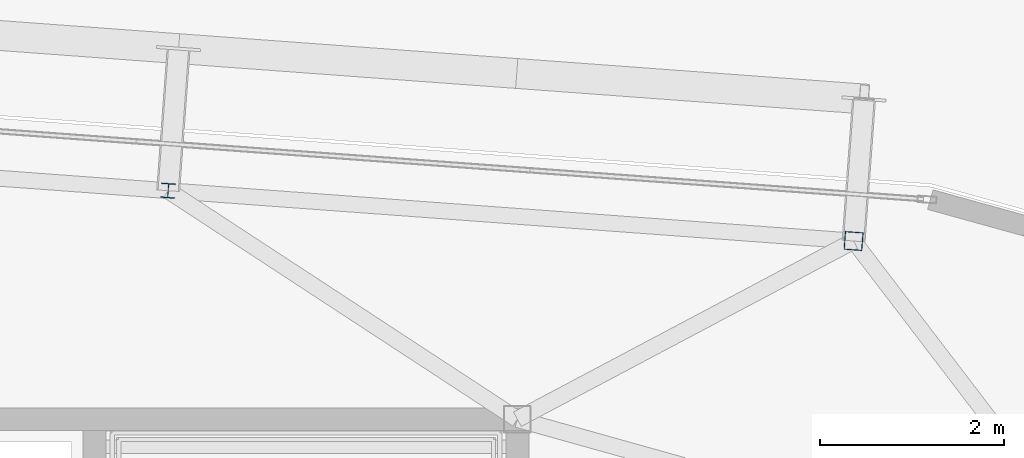
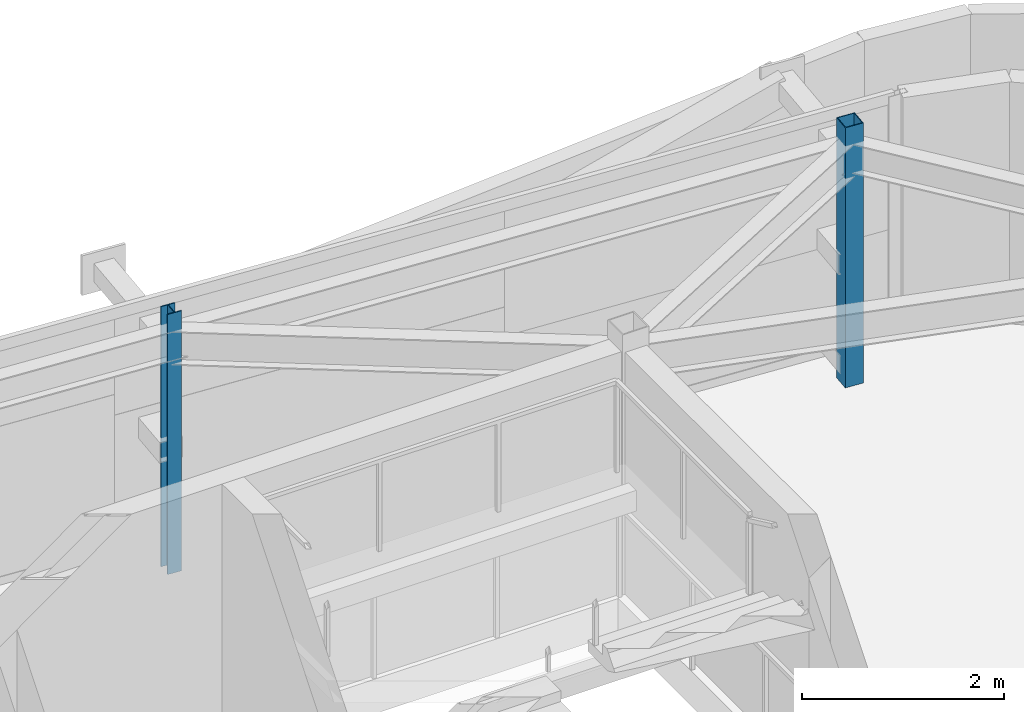
# One storey, part 8 of 37: 2 columns.
"""IFC4 building model written with IfcOpenShell, lengths in metres."""

import ifcopenshell
import ifcopenshell.guid

model = None  # the IFC model being written
_history = None  # IfcOwnerHistory: only IFC2X3 demands one
_inside = {}  # id of a spatial element -> (the spatial element, [elements in it])
_under = {}  # id of a project, library or spatial element -> (it, [spatial elements below it])
_declared = {}  # id of a project -> (the project, [libraries it declares])
_typed = {}  # id of a type object -> (the type object, [elements of that type])
_made_of = {}  # id of a material, layer set ... -> (it, [elements and type objects made of it])


def new_model(schema):
    """Start an empty IFC model of exactly this schema.

    Asked for "IFC4X3", IfcOpenShell would pick the latest addendum, in which some entities
    have other attributes; the version numbers below select the first issue.
    IFC2X3 requires an IfcOwnerHistory on every rooted entity: one is made here for all.
    """
    global model, _history
    if schema == "IFC4X3":
        model = ifcopenshell.file(schema_version=(4, 3, 0, 0))
    else:
        model = ifcopenshell.file(schema=schema)
    _inside.clear()
    _under.clear()
    _declared.clear()
    _typed.clear()
    _made_of.clear()
    _history = None
    if model.schema == "IFC2X3":
        org = make("IfcOrganization", Name="unknown")
        user = make(
            "IfcPersonAndOrganization",
            ThePerson=make("IfcPerson", FamilyName="unknown"),
            TheOrganization=org,
        )
        app = make(
            "IfcApplication",
            ApplicationDeveloper=org,
            Version="unknown",
            ApplicationFullName="unknown",
            ApplicationIdentifier="unknown",
        )
        _history = make(
            "IfcOwnerHistory",
            OwningUser=user,
            OwningApplication=app,
            ChangeAction="ADDED",
            CreationDate=0,
        )
    return model


def make(cls, **values):
    """One entity of the class cls with the attributes given. An attribute that is None is left unset."""
    return model.create_entity(
        cls, **{name: value for name, value in values.items() if value is not None}
    )


def rooted(cls, **values):
    """An entity with a GlobalId (a new one), such as an element, a storey or a relation."""
    return make(cls, GlobalId=ifcopenshell.guid.new(), OwnerHistory=_history, **values)


def si_unit(unit_type, name, prefix=None):
    """IfcSIUnit, for example si_unit("LENGTHUNIT", "METRE", prefix="MILLI")."""
    return make("IfcSIUnit", UnitType=unit_type, Prefix=prefix, Name=name)


def assignment(units):
    """IfcUnitAssignment: the units of a project."""
    return None if units is None else make("IfcUnitAssignment", Units=units)


def point(xyz):
    """IfcCartesianPoint."""
    return None if xyz is None else make("IfcCartesianPoint", Coordinates=xyz)


def direction(xyz):
    """IfcDirection."""
    return None if xyz is None else make("IfcDirection", DirectionRatios=xyz)


def frame(location, z_axis=None, x_axis=None):
    """IfcAxis2Placement3D, a coordinate frame: its origin and axes. An axis left out is left unset."""
    return make(
        "IfcAxis2Placement3D",
        Location=point(location),
        Axis=direction(z_axis),
        RefDirection=direction(x_axis),
    )


def frame_2d(location, x_axis=None):
    """IfcAxis2Placement2D, a coordinate frame in the plane: its origin and x axis."""
    return make(
        "IfcAxis2Placement2D", Location=point(location), RefDirection=direction(x_axis)
    )


def origin():
    """The frame at (0, 0, 0) with its axes left unset."""
    return frame((0.0, 0.0, 0.0))


def origin_2d():
    """The frame at (0, 0) in the plane with its x axis left unset."""
    return frame_2d((0.0, 0.0))


def place(relative_to, where):
    """IfcLocalPlacement: puts the frame where relative to a parent placement (None: the world)."""
    return make(
        "IfcLocalPlacement", PlacementRelTo=relative_to, RelativePlacement=where
    )


def context(
    kind, dimensions, precision=None, world=None, true_north=None, identifier=None
):
    """IfcGeometricRepresentationContext, for example the 3D "Model" context."""
    return make(
        "IfcGeometricRepresentationContext",
        ContextIdentifier=identifier,
        ContextType=kind,
        CoordinateSpaceDimension=dimensions,
        Precision=precision,
        WorldCoordinateSystem=world,
        TrueNorth=true_north,
    )


def subcontext(parent, identifier, kind, view, scale=None):
    """IfcGeometricRepresentationSubContext, for example "Body" below "Model"."""
    return make(
        "IfcGeometricRepresentationSubContext",
        ContextIdentifier=identifier,
        ContextType=kind,
        ParentContext=parent,
        TargetScale=scale,
        TargetView=view,
    )


def project(units=None, contexts=None):
    """IfcProject with its units and contexts."""
    return rooted(
        "IfcProject",
        Name="project",
        RepresentationContexts=contexts,
        UnitsInContext=assignment(units),
    )


def spatial(cls, under=None, at=None, **own):
    """A site, building, storey or space (cls), placed at a placement, below another one or the project."""
    s = rooted(cls, ObjectPlacement=at, **own)
    if under is not None:
        _under.setdefault(under.id(), (under, []))[1].append(s)
    return s


def profile(cls, at=None, kind="AREA", **sizes):
    """A parametric profile (cls). Its sizes go by their IFC names, for example OverallWidth=200.0."""
    return make(cls, ProfileType=kind, Position=at, **sizes)


def hollow_rectangle(**sizes):
    """IfcRectangleHollowProfileDef."""
    return profile("IfcRectangleHollowProfileDef", **sizes)


def i_section(**sizes):
    """IfcIShapeProfileDef."""
    return profile("IfcIShapeProfileDef", **sizes)


def extrude(swept, where, along, depth):
    """IfcExtrudedAreaSolid: the profile swept, set in the frame where, extruded along a direction by depth."""
    return make(
        "IfcExtrudedAreaSolid",
        SweptArea=swept,
        Position=where,
        ExtrudedDirection=direction(along),
        Depth=depth,
    )


def shape(context_of_items, identifier, shape_type, items):
    """IfcShapeRepresentation: the items that make up one representation, for example the "Body"."""
    return make(
        "IfcShapeRepresentation",
        ContextOfItems=context_of_items,
        RepresentationIdentifier=identifier,
        RepresentationType=shape_type,
        Items=items,
    )


def source(mapping_origin, context_of_items, identifier, shape_type, items):
    """IfcRepresentationMap: a shape defined once, which mapped items show again and again."""
    return make(
        "IfcRepresentationMap",
        MappingOrigin=mapping_origin,
        MappedRepresentation=shape(context_of_items, identifier, shape_type, items),
    )


def transform(
    local_origin,
    x_axis=None,
    y_axis=None,
    z_axis=None,
    scale=None,
    scale2=None,
    scale3=None,
    uniform=True,
):
    """IfcCartesianTransformationOperator3D, or its non-uniform kind. x_axis, y_axis, z_axis: its Axis1, 2, 3."""
    if uniform:
        return make(
            "IfcCartesianTransformationOperator3D",
            Axis1=direction(x_axis),
            Axis2=direction(y_axis),
            LocalOrigin=point(local_origin),
            Scale=scale,
            Axis3=direction(z_axis),
        )
    return make(
        "IfcCartesianTransformationOperator3DnonUniform",
        Axis1=direction(x_axis),
        Axis2=direction(y_axis),
        LocalOrigin=point(local_origin),
        Scale=scale,
        Axis3=direction(z_axis),
        Scale2=scale2,
        Scale3=scale3,
    )


def mapped(mapping_source, mapping_target):
    """IfcMappedItem: shows the shape of a source again, moved by a transform."""
    return make(
        "IfcMappedItem", MappingSource=mapping_source, MappingTarget=mapping_target
    )


def material(Name=None, Category=None):
    """IfcMaterial."""
    return make("IfcMaterial", Name=Name, Category=Category)


def material_profile(
    of_material, cross_section, Name=None, Category=None, Priority=None
):
    """IfcMaterialProfile: a cross section and its material."""
    return make(
        "IfcMaterialProfile",
        Name=Name,
        Material=of_material,
        Profile=cross_section,
        Priority=Priority,
        Category=Category,
    )


def profile_set(profiles, Name=None, composite=None):
    """IfcMaterialProfileSet."""
    return make(
        "IfcMaterialProfileSet",
        Name=Name,
        MaterialProfiles=profiles,
        CompositeProfile=composite,
    )


def made_of(thing, what):
    """Note that an element or type object is made of a material, layer set ...; save() writes the relation."""
    if what is not None:
        _made_of.setdefault(what.id(), (what, []))[1].append(thing)
    return thing


def type_object(cls, material=None, **own):
    """A type object (cls), such as IfcWallType, which elements share."""
    return made_of(rooted(cls, **own), material)


def element(
    cls,
    number,
    at=None,
    inside=None,
    cuts=None,
    type_object=None,
    material=None,
    context=None,
    identifier="Body",
    shape_type=None,
    held_by="IfcProductDefinitionShape",
    body=None,
    shapes=None,
    **own,
):
    """One element of the class cls, such as IfcWall. Its Tag is "e" and its number.

    at: its placement. inside: the storey or other place that contains it. cuts: it is an
    opening in that element (IfcRelVoidsElement). A single representation is given by context,
    identifier, shape_type and body (its items); several are given by shapes. held_by: the class
    of the entity that holds the representations. save() writes the other relations.
    """
    e = rooted(cls, Tag="e%d" % number, ObjectPlacement=at, **own)
    if body is not None:
        shapes = [shape(context, identifier, shape_type, body)]
    if shapes is not None:
        e.Representation = make(held_by, Representations=shapes)
    if inside is not None:
        _inside.setdefault(inside.id(), (inside, []))[1].append(e)
    if cuts is not None:
        rooted(
            "IfcRelVoidsElement", RelatingBuildingElement=cuts, RelatedOpeningElement=e
        )
    if type_object is not None:
        _typed.setdefault(type_object.id(), (type_object, []))[1].append(e)
    return made_of(e, material)


def aggregate(whole, parts):
    """IfcRelAggregates: a whole, such as a stair, and the parts it consists of."""
    return rooted("IfcRelAggregates", RelatingObject=whole, RelatedObjects=parts)


def save(model, path):
    """Write the relations noted so far, then the file.

    IfcRelAggregates (storeys below a building ...), IfcRelContainedInSpatialStructure (elements
    in a storey), IfcRelDefinesByType, IfcRelAssociatesMaterial and IfcRelDeclares: one each for
    every whole, place, type object, material and project.
    """
    for whole, parts in _under.values():
        aggregate(whole, parts)
    for where, things in _inside.values():
        rooted(
            "IfcRelContainedInSpatialStructure",
            RelatedElements=things,
            RelatingStructure=where,
        )
    for kind, things in _typed.values():
        rooted("IfcRelDefinesByType", RelatedObjects=things, RelatingType=kind)
    for what, things in _made_of.values():
        rooted("IfcRelAssociatesMaterial", RelatedObjects=things, RelatingMaterial=what)
    for by, libraries in _declared.values():
        rooted("IfcRelDeclares", RelatingContext=by, RelatedDefinitions=libraries)
    model.write(path)


model = new_model("IFC4")

# Units and contexts
model_context = context("Model", 3, precision=1e-05, world=origin(), true_north=direction((0.0, 1.0)))
body_context = subcontext(model_context, "Body", "Model", "MODEL_VIEW")
ifc_project = project(units=[si_unit("LENGTHUNIT", "METRE"), si_unit("AREAUNIT", "SQUARE_METRE"), si_unit("VOLUMEUNIT", "CUBIC_METRE"), si_unit("PLANEANGLEUNIT", "RADIAN"), si_unit("MASSUNIT", "GRAM", prefix="KILO")], contexts=[model_context])

# Site, building, storey
site_placement = place(None, origin())
site = spatial("IfcSite", under=ifc_project, at=site_placement, CompositionType="ELEMENT")
building_placement = place(site_placement, origin())
building = spatial("IfcBuilding", under=site, at=building_placement, Name="Taldren Reach Tower", CompositionType="ELEMENT")
storey_placement = place(building_placement, frame((0.0, 0.0, 211.39990234375)))
storey = spatial("IfcBuildingStorey", under=building, at=storey_placement, Name="L64", CompositionType="ELEMENT", Elevation=211.39990234375)

# Columns
ifc_material_1 = material(Name="Steel Gr 350 (C350L0)", Category="steel")
ifc_material_profile_1 = material_profile(ifc_material_1, hollow_rectangle(XDim=0.199951171875, YDim=0.199951171875, WallThickness=0.009033203125, at=origin_2d()), Name="200x200x9.0SHS")
ifc_profile_set_1 = profile_set([ifc_material_profile_1], Name="Steel Gr 350 (C350L0)")
column_type_1 = type_object("IfcColumnType", Name="COL-SHS200", PredefinedType="COLUMN", material=ifc_profile_set_1)
shared_shape_1 = source(origin(), body_context, "Body", "SweptSolid", [
    extrude(hollow_rectangle(XDim=0.199951171875, YDim=0.199951171875, WallThickness=0.009033203125, at=origin_2d()), origin(), (0.0, 0.0, 1.0), 3.150146484375),
])
column_1_placement = place(storey_placement, frame((54.659423828125, 33.939697265625, 0.0), z_axis=(0.0, 0.0, 1.0), x_axis=(0.997314477224, -0.073238197128, 0.0)))
element("IfcColumn", 1, at=column_1_placement, inside=storey, type_object=column_type_1, Name="Block B5 perimeter column N6 L64", PredefinedType="COLUMN", context=body_context, shape_type="MappedRepresentation", body=[
    mapped(shared_shape_1, transform((0.0, 0.0, 0.0), scale=1.0)),
])
ifc_material_2 = material(Name="Steel Gr 350 (350PLUS)", Category="steel")
ifc_material_profile_2 = material_profile(ifc_material_2, i_section(OverallWidth=0.154052734375, OverallDepth=0.162109375, WebThickness=0.008056640625, FlangeThickness=0.011474609375, at=origin_2d()), Name="150UC37.2")
ifc_profile_set_2 = profile_set([ifc_material_profile_2], Name="Steel Gr 350 (350PLUS)")
column_type_2 = type_object("IfcColumnType", Name="COL-UC150", PredefinedType="COLUMN", material=ifc_profile_set_2)
shared_shape_2 = source(origin(), body_context, "Body", "SweptSolid", [
    extrude(i_section(OverallWidth=0.154052734375, OverallDepth=0.162109375, WebThickness=0.008056640625, FlangeThickness=0.011474609375, at=origin_2d()), origin(), (0.0, 0.0, 1.0), 3.150146484375),
])
column_2_placement = place(storey_placement, frame((47.199462890625, 34.487548828125, 0.0), z_axis=(0.0, 0.0, 1.0), x_axis=(0.997314477224, -0.073238197128, 0.0)))
element("IfcColumn", 2, at=column_2_placement, inside=storey, type_object=column_type_2, Name="Block B5 perimeter column N5 L64", PredefinedType="COLUMN", context=body_context, shape_type="MappedRepresentation", body=[
    mapped(shared_shape_2, transform((0.0, 0.0, 0.0), scale=1.0)),
])

save(model, "model.ifc")
